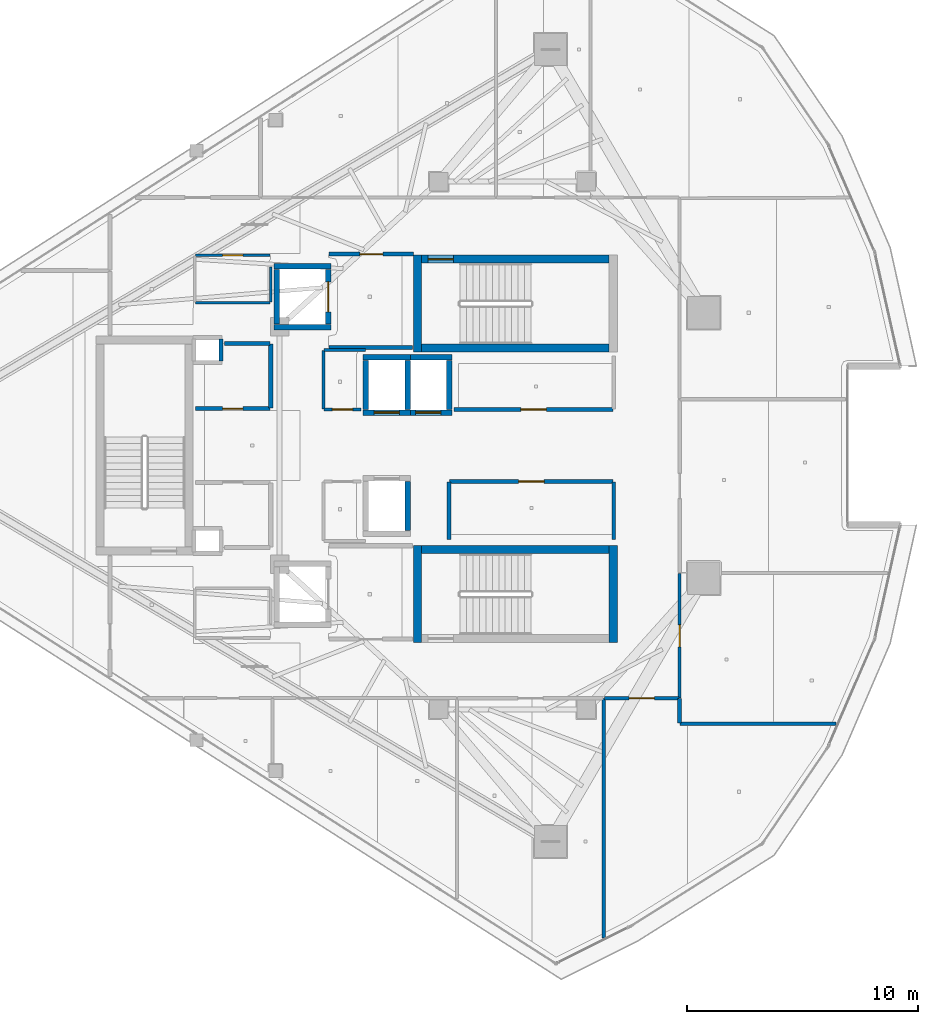
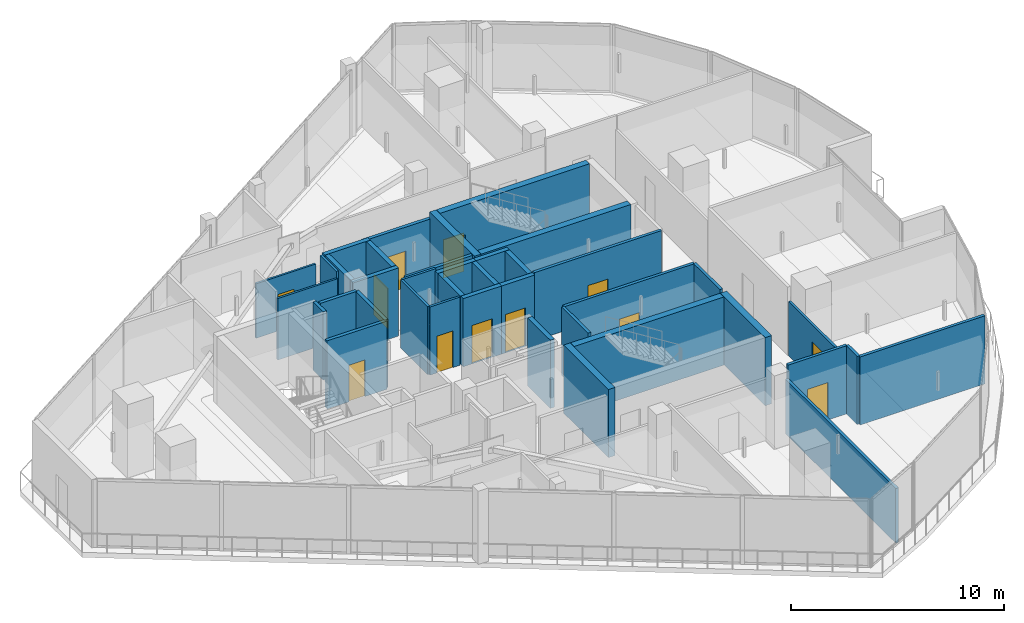
# One storey, part 22 of 30: 39 walls, 12 doors, 12 openings.
"""IFC4 building model written with IfcOpenShell, lengths in metres."""

from ifc_helpers import new_model, si_unit, direction, frame, frame_2d, origin, place, context, subcontext, project, spatial, rectangle, extrude, material, layer, layer_set, type_object, element, fill, save


model = new_model("IFC4")

# Units and contexts
model_context = context("Model", 3, precision=1e-05, world=origin(), true_north=direction((0.0, 1.0)))
body_context = subcontext(model_context, "Body", "Model", "MODEL_VIEW")
ifc_project = project(units=[si_unit("LENGTHUNIT", "METRE"), si_unit("AREAUNIT", "SQUARE_METRE"), si_unit("VOLUMEUNIT", "CUBIC_METRE"), si_unit("PLANEANGLEUNIT", "RADIAN"), si_unit("MASSUNIT", "GRAM", prefix="KILO")], contexts=[model_context])

# Site, building, storey
site_placement = place(None, origin())
site = spatial("IfcSite", under=ifc_project, at=site_placement, CompositionType="ELEMENT")
building_placement = place(site_placement, origin())
building = spatial("IfcBuilding", under=site, at=building_placement, Name="Qorvath Tower", CompositionType="ELEMENT")
storey_placement = place(building_placement, frame((0.0, 0.0, 301.800048828125)))
storey = spatial("IfcBuildingStorey", under=building, at=storey_placement, Name="L70", CompositionType="ELEMENT", Elevation=301.800048828125)

# Walls
ifc_material_1 = material(Name="Gypsum shaftliner on steel studs", Category="steel")
ifc_layer_1 = layer(ifc_material_1, 0.179931640625)
ifc_layer_set_1 = layer_set([ifc_layer_1], Name="FW-LOBBY")
wall_type_1 = type_object("IfcWallType", Name="FW-LOBBY", PredefinedType="PARTITIONING", material=ifc_layer_set_1)
wall_1_placement = place(storey_placement, frame((-33.044921875, 4.610107421875, 0.0), z_axis=(0.0, 0.0, 1.0), x_axis=(0.0, -1.0, 0.0)))
element("IfcWall", 1, at=wall_1_placement, inside=storey, type_object=wall_type_1, Name="MEP Riser Shaft Enclosure Wall N-L70-E", PredefinedType="PARTITIONING", context=body_context, shape_type="SweptSolid", body=[
    extrude(rectangle(XDim=0.9501953125, YDim=0.179931640625, at=frame_2d((0.47509765625, 0.0))), origin(), (0.0, 0.0, 1.0), 3.909912109375),
])
wall_2_placement = place(storey_placement, frame((-28.35498046875, 4.25, 0.0), z_axis=(0.0, 0.0, 1.0), x_axis=(1.0, 0.0, 0.0)))
element("IfcWall", 2, at=wall_2_placement, inside=storey, type_object=wall_type_1, Name="Interior Partition IW-T1-L70-001", PredefinedType="PARTITIONING", context=body_context, shape_type="SweptSolid", body=[
    extrude(rectangle(XDim=3.6220703125, YDim=0.179931640625, at=frame_2d((1.81103515625, 0.0))), origin(), (0.0, 0.0, 1.0), 3.909912109375),
])

# Wall, opening, door
wall_3_placement = place(storey_placement, frame((-24.68408203125, 8.300048828125, 0.0), z_axis=(0.0, 0.0, 1.0), x_axis=(-1.0, 0.0, 0.0)))
wall_3 = element("IfcWall", 3, at=wall_3_placement, inside=storey, type_object=wall_type_1, Name="Interior Partition IW-T1-L70-002", PredefinedType="PARTITIONING", context=body_context, shape_type="SweptSolid", body=[
    extrude(rectangle(XDim=3.6708984375, YDim=0.179931640625, at=frame_2d((1.83544921875, 0.0))), origin(), (0.0, 0.0, 1.0), 3.52880859375),
])
opening_1_placement = place(wall_3_placement, frame((1.33544921875, 0.0, 0.0)))
opening_1 = element("IfcOpeningElement", 4, at=opening_1_placement, cuts=wall_3, Name="Opening D-T1-L70-19", PredefinedType="OPENING", context=body_context, shape_type="SweptSolid", body=[
    extrude(rectangle(XDim=1.0, YDim=2.14990234375, at=frame_2d((0.5, 1.074951171875))), frame((0.0, 0.10009765625, 0.0), z_axis=(0.0, -1.0, 0.0), x_axis=(1.0, 0.0, 0.0)), (0.0, 0.0, 1.0), 0.199951171875),
])
ifc_material_2 = material(Name="Painted galvanised hollow metal", Category="steel")
door_type_1 = type_object("IfcDoorType", Name="FD-60", OperationType="NOTDEFINED", PredefinedType="DOOR", material=ifc_material_2)
door_1_placement = place(opening_1_placement, origin())
door_1 = element("IfcDoor", 5, at=door_1_placement, inside=storey, type_object=door_type_1, Name="Lobby Fire Service Elevator North Door D-T1-L70-19", OperationType="SINGLE_SWING_RIGHT", OverallHeight=2.14990234375, OverallWidth=1.0, PredefinedType="DOOR", context=body_context, shape_type="SweptSolid", body=[
    extrude(rectangle(XDim=1.0, YDim=2.14990234375, at=frame_2d((0.5, 1.074951171875))), frame((0.0, 0.02490234375, 0.0), z_axis=(0.0, -1.0, 0.0), x_axis=(1.0, 0.0, 0.0)), (0.0, 0.0, 1.0), 0.050048828125),
])
fill(opening_1, door_1)

wall_4_placement = place(storey_placement, frame((-34.15478515625, 1.60009765625, 0.0), z_axis=(0.0, 0.0, 1.0), x_axis=(1.0, 0.0, 0.0)))
wall_4 = element("IfcWall", 6, at=wall_4_placement, inside=storey, type_object=wall_type_1, Name="Interior Partition IW-T1-L70-024", PredefinedType="PARTITIONING", context=body_context, shape_type="SweptSolid", body=[
    extrude(rectangle(XDim=3.25, YDim=0.179931640625, at=frame_2d((1.625, 0.0))), origin(), (0.0, 0.0, 1.0), 3.909912109375),
])
opening_2_placement = place(wall_4_placement, frame((1.18505859375, 0.0, 0.0)))
opening_2 = element("IfcOpeningElement", 7, at=opening_2_placement, cuts=wall_4, Name="Opening D-T1-L70-05", PredefinedType="OPENING", context=body_context, shape_type="SweptSolid", body=[
    extrude(rectangle(XDim=0.8798828125, YDim=2.10009765625, at=frame_2d((0.43994140625, 1.050048828125))), frame((0.0, 0.10009765625, 0.0), z_axis=(0.0, -1.0, 0.0), x_axis=(1.0, 0.0, 0.0)), (0.0, 0.0, 1.0), 0.199951171875),
])
ifc_material_3 = material(Name="Painted galvanised hollow metal", Category="steel")
door_type_2 = type_object("IfcDoorType", Name="FD-60N", OperationType="NOTDEFINED", PredefinedType="DOOR", material=ifc_material_3)
door_2_placement = place(opening_2_placement, origin())
door_2 = element("IfcDoor", 8, at=door_2_placement, inside=storey, type_object=door_type_2, Name="Core telecom comms room L70 Door D-T1-L70-05", OperationType="SINGLE_SWING_RIGHT", OverallHeight=2.10009765625, OverallWidth=0.8798828125, PredefinedType="DOOR", context=body_context, shape_type="SweptSolid", body=[
    extrude(rectangle(XDim=0.8798828125, YDim=2.10009765625, at=frame_2d((0.43994140625, 1.050048828125))), frame((0.0, 0.02490234375, 0.0), z_axis=(0.0, -1.0, 0.0), x_axis=(1.0, 0.0, 0.0)), (0.0, 0.0, 1.0), 0.050048828125),
])
fill(opening_2, door_2)

# Walls
wall_5_placement = place(storey_placement, frame((-30.8798828125, 1.625, 0.0), z_axis=(0.0, 0.0, 1.0), x_axis=(0.0, 1.0, 0.0)))
element("IfcWall", 9, at=wall_5_placement, inside=storey, type_object=wall_type_1, Name="Interior Partition IW-T1-L70-025", PredefinedType="PARTITIONING", context=body_context, shape_type="SweptSolid", body=[
    extrude(rectangle(XDim=2.77001953125, YDim=0.179931640625, at=frame_2d((1.385009765625, 0.0))), origin(), (0.0, 0.0, 1.0), 3.909912109375),
])
wall_6_placement = place(storey_placement, frame((-30.90478515625, 4.419921875, 0.0), z_axis=(0.0, 0.0, 1.0), x_axis=(-1.0, 0.0, 0.0)))
element("IfcWall", 10, at=wall_6_placement, inside=storey, type_object=wall_type_1, Name="Interior Partition IW-T1-L70-026", PredefinedType="PARTITIONING", context=body_context, shape_type="SweptSolid", body=[
    extrude(rectangle(XDim=1.97509765625, YDim=0.179931640625, at=frame_2d((0.987548828125, 0.0))), origin(), (0.0, 0.0, 1.0), 3.909912109375),
])

# Wall, opening, door
ifc_material_4 = material(Name="Double acoustic gypsum board on steel studs", Category="steel")
ifc_layer_2 = layer(ifc_material_4, 0.159912109375)
ifc_layer_set_2 = layer_set([ifc_layer_2], Name="IW-ACOUSTIC-160")
wall_type_2 = type_object("IfcWallType", Name="IW-ACOUSTIC-160", PredefinedType="PARTITIONING", material=ifc_layer_set_2)
wall_7_placement = place(storey_placement, frame((-22.933837890625, 1.56005859375, 0.0), z_axis=(0.0, 0.0, 1.0), x_axis=(1.0, 0.0, 0.0)))
wall_7 = element("IfcWall", 11, at=wall_7_placement, inside=storey, type_object=wall_type_2, Name="Interior Partition IW-T1-L70-013", PredefinedType="PARTITIONING", context=body_context, shape_type="SweptSolid", body=[
    extrude(rectangle(XDim=6.908935546875, YDim=0.159912109375, at=frame_2d((3.45458984375, 0.0))), origin(), (0.0, 0.0, 1.0), 3.909912109375),
])
opening_3_placement = place(wall_7_placement, frame((2.904541015625, 0.0, 0.0)))
opening_3 = element("IfcOpeningElement", 12, at=opening_3_placement, cuts=wall_7, Name="Opening D-T1-L70-01", PredefinedType="OPENING", context=body_context, shape_type="SweptSolid", body=[
    extrude(rectangle(XDim=1.10009765625, YDim=2.14990234375, at=frame_2d((0.550048828125, 1.074951171875))), frame((0.0, 0.08984375, 0.0), z_axis=(0.0, -1.0, 0.0), x_axis=(1.0, 0.0, 0.0)), (0.0, 0.0, 1.0), 0.179931640625),
])
ifc_material_5 = material(Name="Anodised aluminium acoustic framed glass", Category="aluminium")
door_type_3 = type_object("IfcDoorType", Name="D-03", OperationType="NOTDEFINED", PredefinedType="DOOR", material=ifc_material_5)
door_3_placement = place(opening_3_placement, origin())
door_3 = element("IfcDoor", 13, at=door_3_placement, inside=storey, type_object=door_type_3, Name="L70-RCN North Executive Support Office Door D-T1-L70-01", OperationType="SINGLE_SWING_RIGHT", OverallHeight=2.14990234375, OverallWidth=1.10009765625, PredefinedType="DOOR", context=body_context, shape_type="SweptSolid", body=[
    extrude(rectangle(XDim=1.10009765625, YDim=2.14990234375, at=frame_2d((0.550048828125, 1.074951171875))), frame((0.0, 0.02490234375, 0.0), z_axis=(0.0, -1.0, 0.0), x_axis=(1.0, 0.0, 0.0)), (0.0, 0.0, 1.0), 0.050048828125),
])
fill(opening_3, door_3)

# Walls
for number, where, z_axis, x_axis, name in (
    (14, (-23.14990234375, -1.585205078125, 0.0), (0.0, 0.0, 1.0), (0.0, -1.0, 0.0), "Interior Partition IW-T1-L70-015"),
    (15, (-16.0, -4.0751953125, 0.0), (0.0, 0.0, 1.0), (0.0, 1.0, 0.0), "Interior Partition IW-T1-L70-016"),
):
    element("IfcWall", number, at=place(storey_placement, frame(where, z_axis=z_axis, x_axis=x_axis)), inside=storey, type_object=wall_type_2, Name=name, PredefinedType="PARTITIONING", context=body_context, shape_type="SweptSolid", body=[
        extrude(rectangle(XDim=2.489990234375, YDim=0.159912109375, at=frame_2d((1.2451171875, 0.0))), origin(), (0.0, 0.0, 1.0), 3.909912109375),
    ])

# Wall, opening, door
wall_8_placement = place(storey_placement, frame((-16.02490234375, -1.56005859375, 0.0), z_axis=(0.0, 0.0, 1.0), x_axis=(-1.0, 0.0, 0.0)))
wall_8 = element("IfcWall", 16, at=wall_8_placement, inside=storey, type_object=wall_type_2, Name="Interior Partition IW-T1-L70-017", PredefinedType="PARTITIONING", context=body_context, shape_type="SweptSolid", body=[
    extrude(rectangle(XDim=7.10009765625, YDim=0.159912109375, at=frame_2d((3.550048828125, 0.0))), origin(), (0.0, 0.0, 1.0), 3.909912109375),
])
opening_4_placement = place(wall_8_placement, frame((3.0, 0.0, 0.0)))
opening_4 = element("IfcOpeningElement", 17, at=opening_4_placement, cuts=wall_8, Name="Opening D-T1-L70-02", PredefinedType="OPENING", context=body_context, shape_type="SweptSolid", body=[
    extrude(rectangle(XDim=1.10009765625, YDim=2.14990234375, at=frame_2d((0.550048828125, 1.074951171875))), frame((0.0, 0.08984375, 0.0), z_axis=(0.0, -1.0, 0.0), x_axis=(1.0, 0.0, 0.0)), (0.0, 0.0, 1.0), 0.179931640625),
])
door_4_placement = place(opening_4_placement, origin())
door_4 = element("IfcDoor", 18, at=door_4_placement, inside=storey, type_object=door_type_3, Name="L70-RCS South Executive Support Office Door D-T1-L70-02", OperationType="SINGLE_SWING_LEFT", OverallHeight=2.14990234375, OverallWidth=1.10009765625, PredefinedType="DOOR", context=body_context, shape_type="SweptSolid", body=[
    extrude(rectangle(XDim=1.10009765625, YDim=2.14990234375, at=frame_2d((0.550048828125, 1.074951171875))), frame((0.0, 0.02490234375, 0.0), z_axis=(0.0, -1.0, 0.0), x_axis=(1.0, 0.0, 0.0)), (0.0, 0.0, 1.0), 0.050048828125),
])
fill(opening_4, door_4)

# Walls
wall_9_placement = place(storey_placement, frame((-16.43408203125, -21.35693359375, 0.0), z_axis=(0.0, 0.0, 1.0), x_axis=(2.3533842e-05, 0.999999999723, 0.0)))
element("IfcWall", 19, at=wall_9_placement, inside=storey, type_object=wall_type_2, Name="Interior Partition IW-T1-L70-045", PredefinedType="PARTITIONING", context=body_context, shape_type="SweptSolid", body=[
    extrude(rectangle(XDim=10.3740234375, YDim=0.159912109375, at=frame_2d((5.18701171875, 0.0))), origin(), (0.0, 0.0, 1.0), 3.1298828125),
])
wall_10_placement = place(storey_placement, frame((-6.35546875, -12.074951171875, 0.0), z_axis=(0.0, 0.0, 1.0), x_axis=(-0.999999593545, 0.000901615329, 0.0)))
element("IfcWall", 20, at=wall_10_placement, inside=storey, type_object=wall_type_2, Name="Interior Partition IW-T1-L70-046", PredefinedType="PARTITIONING", context=body_context, shape_type="SweptSolid", body=[
    extrude(rectangle(XDim=6.76953125, YDim=0.159912109375, at=frame_2d((3.384765625, 0.0))), origin(), (0.0, 0.0, 1.0), 3.909912109375),
])
wall_11_placement = place(storey_placement, frame((-13.14990234375, -10.98291015625, 0.0), z_axis=(0.0, 0.0, 1.0), x_axis=(0.0, -1.0, 0.0)))
element("IfcWall", 21, at=wall_11_placement, inside=storey, type_object=wall_type_2, Name="Interior Partition IW-T1-L70-047", PredefinedType="PARTITIONING", context=body_context, shape_type="SweptSolid", body=[
    extrude(rectangle(XDim=1.060791015625, YDim=0.159912109375, at=frame_2d((0.5302734375, 0.0))), origin(), (0.0, 0.0, 1.0), 3.909912109375),
])

# Wall, opening, door
wall_12_placement = place(storey_placement, frame((-13.1748046875, -10.9580078125, 0.0), z_axis=(0.0, 0.0, 1.0), x_axis=(-1.0, 0.0, 0.0)))
wall_12 = element("IfcWall", 22, at=wall_12_placement, inside=storey, type_object=wall_type_2, Name="Interior Partition IW-T1-L70-048", PredefinedType="PARTITIONING", context=body_context, shape_type="SweptSolid", body=[
    extrude(rectangle(XDim=3.22607421875, YDim=0.159912109375, at=frame_2d((1.613037109375, 0.0))), origin(), (0.0, 0.0, 1.0), 3.909912109375),
])
opening_5_placement = place(wall_12_placement, frame((1.06298828125, 0.0, 0.0)))
opening_5 = element("IfcOpeningElement", 23, at=opening_5_placement, cuts=wall_12, Name="Opening D-T1-L70-14", PredefinedType="OPENING", context=body_context, shape_type="SweptSolid", body=[
    extrude(rectangle(XDim=1.10009765625, YDim=2.14990234375, at=frame_2d((0.550048828125, 1.074951171875))), frame((0.0, 0.08984375, 0.0), z_axis=(0.0, -1.0, 0.0), x_axis=(1.0, 0.0, 0.0)), (0.0, 0.0, 1.0), 0.179931640625),
])
door_5_placement = place(opening_5_placement, origin())
door_5 = element("IfcDoor", 24, at=door_5_placement, inside=storey, type_object=door_type_3, Name="L70-08 Team Project Office Door D-T1-L70-14", OperationType="SINGLE_SWING_LEFT", OverallHeight=2.14990234375, OverallWidth=1.10009765625, PredefinedType="DOOR", context=body_context, shape_type="SweptSolid", body=[
    extrude(rectangle(XDim=1.10009765625, YDim=2.14990234375, at=frame_2d((0.550048828125, 1.074951171875))), frame((0.0, 0.02490234375, 0.0), z_axis=(0.0, -1.0, 0.0), x_axis=(1.0, 0.0, 0.0)), (0.0, 0.0, 1.0), 0.050048828125),
])
fill(opening_5, door_5)

# Wall
ifc_material_6 = material(Name="Gypsum board on metal studs with mineral wool", Category="gypsum")
ifc_layer_3 = layer(ifc_material_6, 0.125)
ifc_layer_set_3 = layer_set([ifc_layer_3], Name="IW-PART-125")
wall_type_3 = type_object("IfcWallType", Name="IW-PART-125", PredefinedType="PARTITIONING", material=ifc_layer_set_3)
wall_13_placement = place(storey_placement, frame((-28.60009765625, 4.125, 0.0), z_axis=(0.0, 0.0, 1.0), x_axis=(0.0, -1.0, 0.0)))
element("IfcWall", 25, at=wall_13_placement, inside=storey, type_object=wall_type_3, Name="Interior Partition IW-T1-L70-018", PredefinedType="PARTITIONING", context=body_context, shape_type="SweptSolid", body=[
    extrude(rectangle(XDim=2.539794921875, YDim=0.125, at=frame_2d((1.27001953125, 0.0))), origin(), (0.0, 0.0, 1.0), 3.909912109375),
])

# Wall, opening, door
wall_14_placement = place(storey_placement, frame((-28.5751953125, 1.56005859375, 0.0), z_axis=(0.0, 0.0, 1.0), x_axis=(1.0, 0.0, 0.0)))
wall_14 = element("IfcWall", 26, at=wall_14_placement, inside=storey, type_object=wall_type_3, Name="Interior Partition IW-T1-L70-019", PredefinedType="PARTITIONING", context=body_context, shape_type="SweptSolid", body=[
    extrude(rectangle(XDim=1.609130859375, YDim=0.125, at=frame_2d((0.8046875, 0.0))), origin(), (0.0, 0.0, 1.0), 3.909912109375),
])
opening_6_placement = place(wall_14_placement, frame((0.364501953125, 0.0, 0.0)))
opening_6 = element("IfcOpeningElement", 27, at=opening_6_placement, cuts=wall_14, Name="Opening D-T1-L70-03", PredefinedType="OPENING", context=body_context, shape_type="SweptSolid", body=[
    extrude(rectangle(XDim=0.8798828125, YDim=2.10009765625, at=frame_2d((0.43994140625, 1.050048828125))), frame((0.0, 0.072509765625, 0.0), z_axis=(0.0, -1.0, 0.0), x_axis=(1.0, 0.0, 0.0)), (0.0, 0.0, 1.0), 0.14501953125),
])
ifc_material_7 = material(Name="Solid-core oak with acoustic drop seal", Category="wood")
door_type_4 = type_object("IfcDoorType", Name="D-02", OperationType="NOTDEFINED", PredefinedType="DOOR", material=ifc_material_7)
door_6_placement = place(opening_6_placement, origin())
door_6 = element("IfcDoor", 28, at=door_6_placement, inside=storey, type_object=door_type_4, Name="L70-RCWN Executive Archive Suite Door D-T1-L70-03", OperationType="SINGLE_SWING_RIGHT", OverallHeight=2.10009765625, OverallWidth=0.8798828125, PredefinedType="DOOR", context=body_context, shape_type="SweptSolid", body=[
    extrude(rectangle(XDim=0.8798828125, YDim=2.10009765625, at=frame_2d((0.43994140625, 1.050048828125))), frame((0.0, 0.02490234375, 0.0), z_axis=(0.0, -1.0, 0.0), x_axis=(1.0, 0.0, 0.0)), (0.0, 0.0, 1.0), 0.050048828125),
])
fill(opening_6, door_6)

# Wall
wall_15_placement = place(storey_placement, frame((-26.77490234375, 4.14990234375, 0.0), z_axis=(0.0, 0.0, 1.0), x_axis=(-1.0, 0.0, 0.0)))
element("IfcWall", 29, at=wall_15_placement, inside=storey, type_object=wall_type_3, Name="Interior Partition IW-T1-L70-020", PredefinedType="PARTITIONING", context=body_context, shape_type="SweptSolid", body=[
    extrude(rectangle(XDim=1.80029296875, YDim=0.125, at=frame_2d((0.900146484375, 0.0))), origin(), (0.0, 0.0, 1.0), 3.909912109375),
])

# Wall, opening, door
wall_16_placement = place(storey_placement, frame((-13.14208984375, -5.556884765625, 0.0), z_axis=(0.0, 0.0, 1.0), x_axis=(0.0, -1.0, 0.0)))
wall_16 = element("IfcWall", 30, at=wall_16_placement, inside=storey, type_object=wall_type_3, Name="Interior Partition IW-T1-L70-050", PredefinedType="PARTITIONING", context=body_context, shape_type="SweptSolid", body=[
    extrude(rectangle(XDim=5.401123046875, YDim=0.125, at=frame_2d((2.70068359375, 0.0))), origin(), (0.0, 0.0, 1.0), 3.1298828125),
])
opening_7_placement = place(wall_16_placement, frame((2.2255859375, 0.0, 0.0)))
opening_7 = element("IfcOpeningElement", 31, at=opening_7_placement, cuts=wall_16, Name="Opening D-T1-L70-15", PredefinedType="OPENING", context=body_context, shape_type="SweptSolid", body=[
    extrude(rectangle(XDim=0.949951171875, YDim=2.14990234375, at=frame_2d((0.47509765625, 1.074951171875))), frame((0.0, 0.072509765625, 0.0), z_axis=(0.0, -1.0, 0.0), x_axis=(1.0, 0.0, 0.0)), (0.0, 0.0, 1.0), 0.14501953125),
])
ifc_material_8 = material(Name="Solid-core American white oak veneer", Category="wood")
door_type_5 = type_object("IfcDoorType", Name="D-01", OperationType="NOTDEFINED", PredefinedType="DOOR", material=ifc_material_8)
door_7_placement = place(opening_7_placement, origin())
door_7 = element("IfcDoor", 32, at=door_7_placement, inside=storey, type_object=door_type_5, Name="L70-09 Open Workplace Studio Door D-T1-L70-15", OperationType="SINGLE_SWING_RIGHT", OverallHeight=2.14990234375, OverallWidth=0.949951171875, PredefinedType="DOOR", context=body_context, shape_type="SweptSolid", body=[
    extrude(rectangle(XDim=0.949951171875, YDim=2.14990234375, at=frame_2d((0.47509765625, 1.074951171875))), frame((0.0, 0.02490234375, 0.0), z_axis=(0.0, -1.0, 0.0), x_axis=(1.0, 0.0, 0.0)), (0.0, 0.0, 1.0), 0.050048828125),
])
fill(opening_7, door_7)

# Walls
ifc_material_9 = material(Name="Moisture-resistant cement board on metal studs", Category="gypsum")
ifc_layer_4 = layer(ifc_material_9, 0.110107421875)
ifc_layer_set_4 = layer_set([ifc_layer_4], Name="IW-WC-110")
wall_type_4 = type_object("IfcWallType", Name="IW-WC-110", PredefinedType="PARTITIONING", material=ifc_layer_set_4)
wall_17_placement = place(storey_placement, frame((-34.15478515625, 6.199951171875, 0.0), z_axis=(0.0, 0.0, 1.0), x_axis=(1.0, 0.0, 0.0)))
element("IfcWall", 33, at=wall_17_placement, inside=storey, type_object=wall_type_4, Name="Interior Partition IW-T1-L70-006", PredefinedType="PARTITIONING", context=body_context, shape_type="SweptSolid", body=[
    extrude(rectangle(XDim=3.25, YDim=0.110107421875, at=frame_2d((1.625, 0.0))), origin(), (0.0, 0.0, 1.0), 3.52880859375),
])
wall_18_placement = place(storey_placement, frame((-30.8798828125, 6.22509765625, 0.0), z_axis=(0.0, 0.0, 1.0), x_axis=(0.0, 1.0, 0.0)))
element("IfcWall", 34, at=wall_18_placement, inside=storey, type_object=wall_type_4, Name="Interior Partition IW-T1-L70-007", PredefinedType="PARTITIONING", context=body_context, shape_type="SweptSolid", body=[
    extrude(rectangle(XDim=1.517822265625, YDim=0.110107421875, at=frame_2d((0.7587890625, 0.0))), origin(), (0.0, 0.0, 1.0), 3.909912109375),
])

# Wall, opening, door
wall_19_placement = place(storey_placement, frame((-30.90478515625, 8.25, 0.0), z_axis=(0.0, 0.0, 1.0), x_axis=(-1.0, 0.0, 0.0)))
wall_19 = element("IfcWall", 35, at=wall_19_placement, inside=storey, type_object=wall_type_4, Name="Interior Partition IW-T1-L70-008", PredefinedType="PARTITIONING", context=body_context, shape_type="SweptSolid", body=[
    extrude(rectangle(XDim=3.25, YDim=0.110107421875, at=frame_2d((1.625, 0.0))), origin(), (0.0, 0.0, 1.0), 3.1298828125),
])
opening_8_placement = place(wall_19_placement, frame((1.18505859375, 0.0, 0.0)))
opening_8 = element("IfcOpeningElement", 36, at=opening_8_placement, cuts=wall_19, Name="Opening D-T1-L70-21", PredefinedType="OPENING", context=body_context, shape_type="SweptSolid", body=[
    extrude(rectangle(XDim=0.8798828125, YDim=2.10009765625, at=frame_2d((0.43994140625, 1.050048828125))), frame((0.0, 0.06494140625, 0.0), z_axis=(0.0, -1.0, 0.0), x_axis=(1.0, 0.0, 0.0)), (0.0, 0.0, 1.0), 0.130126953125),
])
door_8_placement = place(opening_8_placement, origin())
door_8 = element("IfcDoor", 37, at=door_8_placement, inside=storey, type_object=door_type_4, Name="WC All-Gender North L70 Door D-T1-L70-21", OperationType="SINGLE_SWING_RIGHT", OverallHeight=2.10009765625, OverallWidth=0.8798828125, PredefinedType="DOOR", context=body_context, shape_type="SweptSolid", body=[
    extrude(rectangle(XDim=0.8798828125, YDim=2.10009765625, at=frame_2d((0.43994140625, 1.050048828125))), frame((0.0, 0.02490234375, 0.0), z_axis=(0.0, -1.0, 0.0), x_axis=(1.0, 0.0, 0.0)), (0.0, 0.0, 1.0), 0.050048828125),
])
fill(opening_8, door_8)

# Walls
ifc_material_10 = material(Name="Concrete C60/75", Category="concrete")
ifc_layer_5 = layer(ifc_material_10, 0.260009765625)
ifc_layer_set_5 = layer_set([ifc_layer_5], Name="SW-SHAFT")
wall_type_5 = type_object("IfcWallType", Name="SW-SHAFT", PredefinedType="SHEAR", material=ifc_layer_set_5)
for number, where, z_axis, x_axis, name in (
    (38, (-28.260009765625, 5.1298828125, 0.0), (0.0, 0.0, 1.0), (-1.0, 0.0, 0.0), "Hoistway Wall FSAE-1 L70 S"),
    (39, (-30.739990234375, 7.77001953125, 0.0), (0.0, 0.0, 1.0), (1.0, 0.0, 0.0), "Hoistway Wall FSAE-1 L70 N"),
):
    element("IfcWall", number, at=place(storey_placement, frame(where, z_axis=z_axis, x_axis=x_axis)), inside=storey, type_object=wall_type_5, Name=name, PredefinedType="SHEAR", context=body_context, shape_type="SweptSolid", body=[
        extrude(rectangle(XDim=2.47998046875, YDim=0.239990234375, at=frame_2d((1.239990234375, 0.0))), origin(), (0.0, 0.0, 1.0), 3.909912109375),
    ])
wall_20_placement = place(storey_placement, frame((-30.6201171875, 5.261962890625, 0.0), z_axis=(0.0, 0.0, 1.0), x_axis=(0.0, 1.0, 0.0)))
element("IfcWall", 40, at=wall_20_placement, inside=storey, type_object=wall_type_5, Name="Hoistway Wall FSAE-1 L70 W", PredefinedType="SHEAR", context=body_context, shape_type="SweptSolid", body=[
    extrude(rectangle(XDim=2.3759765625, YDim=0.239990234375, at=frame_2d((1.18798828125, 0.0))), origin(), (0.0, 0.0, 1.0), 3.909912109375),
])

# Wall, opening, door
wall_21_placement = place(storey_placement, frame((-28.3798828125, 7.637939453125, 0.0), z_axis=(0.0, 0.0, 1.0), x_axis=(0.0, -1.0, 0.0)))
wall_21 = element("IfcWall", 41, at=wall_21_placement, inside=storey, type_object=wall_type_5, Name="Hoistway Wall FSAE-1 L70 E", PredefinedType="SHEAR", context=body_context, shape_type="SweptSolid", body=[
    extrude(rectangle(XDim=2.3759765625, YDim=0.239990234375, at=frame_2d((1.18798828125, 0.0))), origin(), (0.0, 0.0, 1.0), 3.909912109375),
])
opening_9_placement = place(wall_21_placement, frame((0.537841796875, 0.0, 0.0)))
opening_9 = element("IfcOpeningElement", 42, at=opening_9_placement, cuts=wall_21, Name="Opening LD-FSAE-1-L70", PredefinedType="OPENING", context=body_context, shape_type="SweptSolid", body=[
    extrude(rectangle(XDim=1.300048828125, YDim=2.300048828125, at=frame_2d((0.64990234375, 1.14990234375))), frame((0.0, 0.1298828125, 0.0), z_axis=(0.0, -1.0, 0.0), x_axis=(1.0, 0.0, 0.0)), (0.0, 0.0, 1.0), 0.260009765625),
])
ifc_material_11 = material(Name="Brushed stainless steel AISI 316", Category="steel")
door_type_6 = type_object("IfcDoorType", Name="LD-02", OperationType="NOTDEFINED", PredefinedType="DOOR", material=ifc_material_11)
door_9_placement = place(opening_9_placement, origin())
door_9 = element("IfcDoor", 43, at=door_9_placement, inside=storey, type_object=door_type_6, Name="Elevator Landing Sliding Door LD-FSAE-1-L70", OperationType="DOUBLE_DOOR_SLIDING", OverallHeight=2.300048828125, OverallWidth=1.300048828125, PredefinedType="DOOR", context=body_context, shape_type="SweptSolid", body=[
    extrude(rectangle(XDim=1.300048828125, YDim=2.300048828125, at=frame_2d((0.64990234375, 1.14990234375))), frame((0.0, 0.02490234375, 0.0), z_axis=(0.0, -1.0, 0.0), x_axis=(1.0, 0.0, 0.0)), (0.0, 0.0, 1.0), 0.050048828125),
])
fill(opening_9, door_9)

wall_22_placement = place(storey_placement, frame((-24.81005859375, 1.429931640625, 0.0), z_axis=(0.0, 0.0, 1.0), x_axis=(-1.0, 0.0, 0.0)))
wall_22 = element("IfcWall", 44, at=wall_22_placement, inside=storey, type_object=wall_type_5, Name="Hoistway Wall PH-1 L70 S", PredefinedType="SHEAR", context=body_context, shape_type="SweptSolid", body=[
    extrude(rectangle(XDim=2.079833984375, YDim=0.239990234375, at=frame_2d((1.0400390625, 0.0))), origin(), (0.0, 0.0, 1.0), 3.909912109375),
])
opening_10_placement = place(wall_22_placement, frame((0.489990234375, 0.0, 0.0)))
opening_10 = element("IfcOpeningElement", 45, at=opening_10_placement, cuts=wall_22, Name="Opening LD-PH-1-L70", PredefinedType="OPENING", context=body_context, shape_type="SweptSolid", body=[
    extrude(rectangle(XDim=1.10009765625, YDim=2.199951171875, at=frame_2d((0.550048828125, 1.10009765625))), frame((0.0, 0.1298828125, 0.0), z_axis=(0.0, -1.0, 0.0), x_axis=(1.0, 0.0, 0.0)), (0.0, 0.0, 1.0), 0.260009765625),
])
ifc_material_12 = material(Name="Brushed stainless steel AISI 316", Category="steel")
door_type_7 = type_object("IfcDoorType", Name="LD-01", OperationType="NOTDEFINED", PredefinedType="DOOR", material=ifc_material_12)
door_10_placement = place(opening_10_placement, origin())
door_10 = element("IfcDoor", 46, at=door_10_placement, inside=storey, type_object=door_type_7, Name="Elevator Landing Sliding Door LD-PH-1-L70", OperationType="DOUBLE_DOOR_SLIDING", OverallHeight=2.199951171875, OverallWidth=1.10009765625, PredefinedType="DOOR", context=body_context, shape_type="SweptSolid", body=[
    extrude(rectangle(XDim=1.10009765625, YDim=2.199951171875, at=frame_2d((0.550048828125, 1.10009765625))), frame((0.0, 0.02490234375, 0.0), z_axis=(0.0, -1.0, 0.0), x_axis=(1.0, 0.0, 0.0)), (0.0, 0.0, 1.0), 0.050048828125),
])
fill(opening_10, door_10)

# Walls
wall_23_placement = place(storey_placement, frame((-26.889892578125, 3.820068359375, 0.0), z_axis=(0.0, 0.0, 1.0), x_axis=(1.0, 0.0, 0.0)))
element("IfcWall", 47, at=wall_23_placement, inside=storey, type_object=wall_type_5, Name="Hoistway Wall PH-1 L70 N", PredefinedType="SHEAR", context=body_context, shape_type="SweptSolid", body=[
    extrude(rectangle(XDim=2.079833984375, YDim=0.239990234375, at=frame_2d((1.0400390625, 0.0))), origin(), (0.0, 0.0, 1.0), 3.909912109375),
])
for number, where, z_axis, x_axis, name in (
    (48, (-26.77001953125, 1.56201171875, 0.0), (0.0, 0.0, 1.0), (0.0, 1.0, 0.0), "Hoistway Wall PH-1 L70 W"),
    (49, (-24.929931640625, 3.68798828125, 0.0), (0.0, 0.0, 1.0), (0.0, -1.0, 0.0), "Hoistway Wall PH-1 L70 E"),
):
    element("IfcWall", number, at=place(storey_placement, frame(where, z_axis=z_axis, x_axis=x_axis)), inside=storey, type_object=wall_type_5, Name=name, PredefinedType="SHEAR", context=body_context, shape_type="SweptSolid", body=[
        extrude(rectangle(XDim=2.1259765625, YDim=0.239990234375, at=frame_2d((1.06298828125, 0.0))), origin(), (0.0, 0.0, 1.0), 3.909912109375),
    ])

# Wall, opening, door
wall_24_placement = place(storey_placement, frame((-23.010009765625, 1.429931640625, 0.0), z_axis=(0.0, 0.0, 1.0), x_axis=(-1.0, 0.0, 0.0)))
wall_24 = element("IfcWall", 50, at=wall_24_placement, inside=storey, type_object=wall_type_5, Name="Hoistway Wall PH-2 L70 S", PredefinedType="SHEAR", context=body_context, shape_type="SweptSolid", body=[
    extrude(rectangle(XDim=1.800048828125, YDim=0.239990234375, at=frame_2d((0.89990234375, 0.0))), origin(), (0.0, 0.0, 1.0), 3.909912109375),
])
opening_11_placement = place(wall_24_placement, frame((0.489990234375, 0.0, 0.0)))
opening_11 = element("IfcOpeningElement", 51, at=opening_11_placement, cuts=wall_24, Name="Opening LD-PH-2-L70", PredefinedType="OPENING", context=body_context, shape_type="SweptSolid", body=[
    extrude(rectangle(XDim=1.10009765625, YDim=2.199951171875, at=frame_2d((0.550048828125, 1.10009765625))), frame((0.0, 0.1298828125, 0.0), z_axis=(0.0, -1.0, 0.0), x_axis=(1.0, 0.0, 0.0)), (0.0, 0.0, 1.0), 0.260009765625),
])
door_11_placement = place(opening_11_placement, origin())
door_11 = element("IfcDoor", 52, at=door_11_placement, inside=storey, type_object=door_type_7, Name="Elevator Landing Sliding Door LD-PH-2-L70", OperationType="DOUBLE_DOOR_SLIDING", OverallHeight=2.199951171875, OverallWidth=1.10009765625, PredefinedType="DOOR", context=body_context, shape_type="SweptSolid", body=[
    extrude(rectangle(XDim=1.10009765625, YDim=2.199951171875, at=frame_2d((0.550048828125, 1.10009765625))), frame((0.0, 0.02490234375, 0.0), z_axis=(0.0, -1.0, 0.0), x_axis=(1.0, 0.0, 0.0)), (0.0, 0.0, 1.0), 0.050048828125),
])
fill(opening_11, door_11)

# Walls
wall_25_placement = place(storey_placement, frame((-24.81005859375, 3.820068359375, 0.0), z_axis=(0.0, 0.0, 1.0), x_axis=(1.0, 0.0, 0.0)))
element("IfcWall", 53, at=wall_25_placement, inside=storey, type_object=wall_type_5, Name="Hoistway Wall PH-2 L70 N", PredefinedType="SHEAR", context=body_context, shape_type="SweptSolid", body=[
    extrude(rectangle(XDim=1.800048828125, YDim=0.239990234375, at=frame_2d((0.89990234375, 0.0))), origin(), (0.0, 0.0, 1.0), 3.909912109375),
])
for number, where, z_axis, x_axis, name in (
    (54, (-23.1298828125, 3.68798828125, 0.0), (0.0, 0.0, 1.0), (0.0, -1.0, 0.0), "Hoistway Wall PH-2 L70 E"),
    (55, (-24.929931640625, -1.56201171875, 0.0), (0.0, 0.0, 1.0), (0.0, -1.0, 0.0), "Hoistway Wall PH-3 L70 E"),
):
    element("IfcWall", number, at=place(storey_placement, frame(where, z_axis=z_axis, x_axis=x_axis)), inside=storey, type_object=wall_type_5, Name=name, PredefinedType="SHEAR", context=body_context, shape_type="SweptSolid", body=[
        extrude(rectangle(XDim=2.1259765625, YDim=0.239990234375, at=frame_2d((1.06298828125, 0.0))), origin(), (0.0, 0.0, 1.0), 3.909912109375),
    ])
ifc_material_13 = material(Name="Concrete C60/75", Category="concrete")
ifc_layer_6 = layer(ifc_material_13, 0.35009765625)
ifc_layer_set_6 = layer_set([ifc_layer_6], Name="SW-STAIR")
wall_type_6 = type_object("IfcWallType", Name="SW-STAIR", PredefinedType="SHEAR", material=ifc_layer_set_6)
wall_26_placement = place(storey_placement, frame((-24.52490234375, 8.260009765625, 0.0), z_axis=(0.0, 0.0, 1.0), x_axis=(0.0, -1.0, 0.0)))
element("IfcWall", 56, at=wall_26_placement, inside=storey, type_object=wall_type_6, Name="Stair TS1 Shear Wall L70 NEAR", PredefinedType="SHEAR", context=body_context, shape_type="SweptSolid", body=[
    extrude(rectangle(XDim=4.2099609375, YDim=0.35009765625, at=frame_2d((2.10498046875, 0.0))), origin(), (0.0, 0.0, 1.0), 3.909912109375),
])
wall_27_placement = place(storey_placement, frame((-24.3349609375, 4.22509765625, 0.0), z_axis=(0.0, 0.0, 1.0), x_axis=(1.0, 0.0, 0.0)))
element("IfcWall", 57, at=wall_27_placement, inside=storey, type_object=wall_type_6, Name="Stair TS1 Shear Wall L70 LEFT", PredefinedType="SHEAR", context=body_context, shape_type="SweptSolid", body=[
    extrude(rectangle(XDim=8.119873046875, YDim=0.35009765625, at=frame_2d((4.06005859375, 0.0))), origin(), (0.0, 0.0, 1.0), 3.909912109375),
])

# Wall, opening, door
wall_28_placement = place(storey_placement, frame((-16.215087890625, 8.0849609375, 0.0), z_axis=(0.0, 0.0, 1.0), x_axis=(-1.0, 0.0, 0.0)))
wall_28 = element("IfcWall", 58, at=wall_28_placement, inside=storey, type_object=wall_type_6, Name="Stair TS1 Shear Wall L70 RIGHT", PredefinedType="SHEAR", context=body_context, shape_type="SweptSolid", body=[
    extrude(rectangle(XDim=8.119873046875, YDim=0.35009765625, at=frame_2d((4.06005859375, 0.0))), origin(), (0.0, 0.0, 1.0), 3.909912109375),
])
opening_12_placement = place(wall_28_placement, frame((6.739990234375, 0.0, 0.0)))
opening_12 = element("IfcOpeningElement", 59, at=opening_12_placement, cuts=wall_28, Name="Opening D-TS1-L70", PredefinedType="OPENING", context=body_context, shape_type="SweptSolid", body=[
    extrude(rectangle(XDim=1.10009765625, YDim=2.199951171875, at=frame_2d((0.550048828125, 1.10009765625))), frame((0.0, 0.18505859375, 0.0), z_axis=(0.0, -1.0, 0.0), x_axis=(1.0, 0.0, 0.0)), (0.0, 0.0, 1.0), 0.3701171875),
])
ifc_material_14 = material(Name="Painted galvanised hollow metal", Category="steel")
door_type_8 = type_object("IfcDoorType", Name="FD-90", OperationType="NOTDEFINED", PredefinedType="DOOR", material=ifc_material_14)
door_12_placement = place(opening_12_placement, origin())
door_12 = element("IfcDoor", 60, at=door_12_placement, inside=storey, type_object=door_type_8, Name="Stair TS1 Fire Door L70", OperationType="SINGLE_SWING_LEFT", OverallHeight=2.199951171875, OverallWidth=1.10009765625, PredefinedType="DOOR", context=body_context, shape_type="SweptSolid", body=[
    extrude(rectangle(XDim=1.10009765625, YDim=2.199951171875, at=frame_2d((0.550048828125, 1.10009765625))), frame((0.0, 0.02490234375, 0.0), z_axis=(0.0, -1.0, 0.0), x_axis=(1.0, 0.0, 0.0)), (0.0, 0.0, 1.0), 0.050048828125),
])
fill(opening_12, door_12)

# Walls
for number, where, z_axis, x_axis, name in (
    (61, (-24.52490234375, -4.340087890625, 0.0), (0.0, 0.0, 1.0), (0.0, -1.0, 0.0), "Stair TS2 Shear Wall L70 NEAR"),
    (62, (-16.02490234375, -8.550048828125, 0.0), (0.0, 0.0, 1.0), (0.0, 1.0, 0.0), "Stair TS2 Shear Wall L70 FAR"),
):
    element("IfcWall", number, at=place(storey_placement, frame(where, z_axis=z_axis, x_axis=x_axis)), inside=storey, type_object=wall_type_6, Name=name, PredefinedType="SHEAR", context=body_context, shape_type="SweptSolid", body=[
        extrude(rectangle(XDim=4.2099609375, YDim=0.35009765625, at=frame_2d((2.10498046875, 0.0))), origin(), (0.0, 0.0, 1.0), 3.909912109375),
    ])
wall_29_placement = place(storey_placement, frame((-16.215087890625, -4.514892578125, 0.0), z_axis=(0.0, 0.0, 1.0), x_axis=(-1.0, 0.0, 0.0)))
element("IfcWall", 63, at=wall_29_placement, inside=storey, type_object=wall_type_6, Name="Stair TS2 Shear Wall L70 RIGHT", PredefinedType="SHEAR", context=body_context, shape_type="SweptSolid", body=[
    extrude(rectangle(XDim=8.119873046875, YDim=0.35009765625, at=frame_2d((4.06005859375, 0.0))), origin(), (0.0, 0.0, 1.0), 3.909912109375),
])

save(model, "model.ifc")
